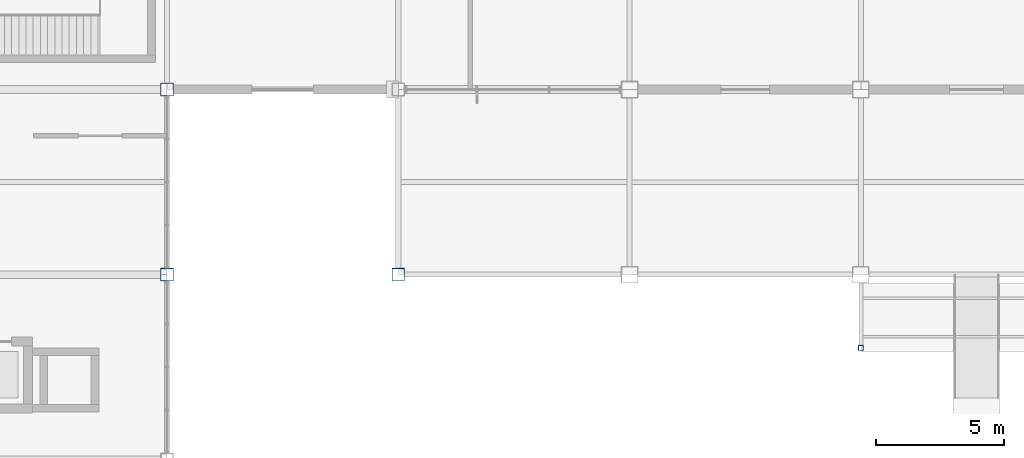
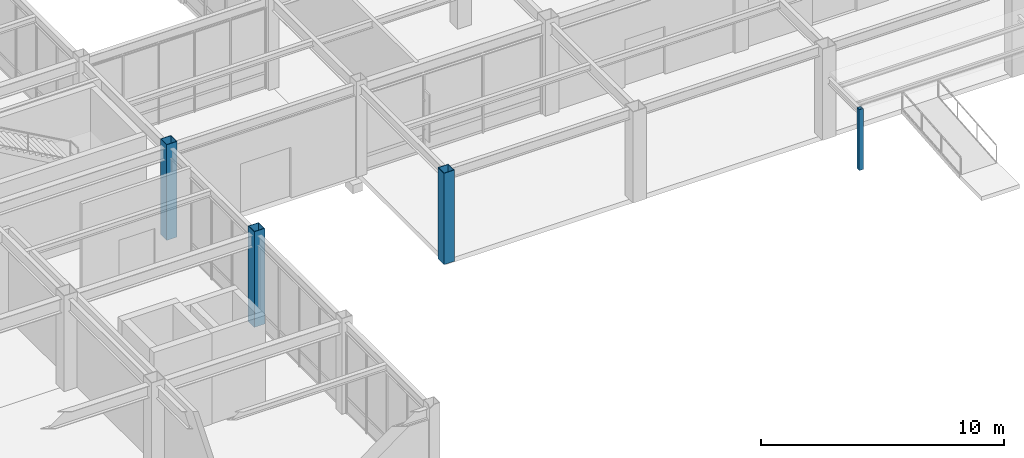
# One storey, part 3 of 112: 4 columns.
"""IFC4 building model written with IfcOpenShell, lengths in metres."""

from ifc_helpers import new_model, si_unit, direction, frame, origin, origin_2d, place, context, subcontext, project, spatial, hollow_rectangle, extrude, material, material_profile, profile_set, type_object, element, save


model = new_model("IFC4")

# Units and contexts
model_context = context("Model", 3, precision=1e-05, world=origin(), true_north=direction((0.0, 1.0)))
body_context = subcontext(model_context, "Body", "Model", "MODEL_VIEW")
ifc_project = project(units=[si_unit("LENGTHUNIT", "METRE"), si_unit("AREAUNIT", "SQUARE_METRE"), si_unit("VOLUMEUNIT", "CUBIC_METRE"), si_unit("PLANEANGLEUNIT", "RADIAN"), si_unit("MASSUNIT", "GRAM", prefix="KILO")], contexts=[model_context])

# Site, building, storey
site_placement = place(None, origin())
site = spatial("IfcSite", under=ifc_project, at=site_placement, CompositionType="ELEMENT")
building_placement = place(site_placement, origin())
building = spatial("IfcBuilding", under=site, at=building_placement, Name="Kazanami Central Library", CompositionType="ELEMENT")
storey_placement = place(building_placement, origin())
storey = spatial("IfcBuildingStorey", under=building, at=storey_placement, Name="L01", CompositionType="ELEMENT", Elevation=0.0)

# Columns
ifc_material_1 = material(Name="Steel BCP325 (325 MPa)", Category="steel")
ifc_material_profile_1 = material_profile(ifc_material_1, hollow_rectangle(XDim=0.5, YDim=0.5, WallThickness=0.02197265625, at=origin_2d()), Name="BCP-500x500x22")
ifc_profile_set_1 = profile_set([ifc_material_profile_1], Name="Steel BCP325 (325 MPa)")
column_type_1 = type_object("IfcColumnType", Name="COL-C-P1E", PredefinedType="COLUMN", material=ifc_profile_set_1)
for number, where, z_axis, x_axis, name in (
    (1, (36.0, 14.39990234375, 0.0), (0.0, 0.0, 1.0), (1.0, 0.0, 0.0), "Column C-P1E L01 5/C"),
    (2, (36.0, 21.60009765625, 0.0), (0.0, 0.0, 1.0), (1.0, 0.0, 0.0), "Column C-P1E L01 5/D"),
):
    element("IfcColumn", number, at=place(storey_placement, frame(where, z_axis=z_axis, x_axis=x_axis)), inside=storey, type_object=column_type_1, Name=name, PredefinedType="COLUMN", context=body_context, shape_type="SweptSolid", body=[
        extrude(hollow_rectangle(XDim=0.5, YDim=0.5, WallThickness=0.02197265625, at=origin_2d()), origin(), (0.0, 0.0, 1.0), 4.800048828125),
    ])
column_1_placement = place(storey_placement, frame((45.0, 14.39990234375, 0.0), z_axis=(0.0, 0.0, 1.0), x_axis=(1.0, 0.0, 0.0)))
element("IfcColumn", 3, at=column_1_placement, inside=storey, type_object=column_type_1, Name="Column C-P1E L01 6/C", PredefinedType="COLUMN", context=body_context, shape_type="SweptSolid", body=[
    extrude(hollow_rectangle(XDim=0.5, YDim=0.5, WallThickness=0.02197265625, at=origin_2d()), origin(), (0.0, 0.0, 1.0), 4.580078125),
])
ifc_material_2 = material(Name="Steel STK490 (315 MPa)", Category="steel")
ifc_material_profile_2 = material_profile(ifc_material_2, hollow_rectangle(XDim=0.199951171875, YDim=0.199951171875, WallThickness=0.009033203125, at=origin_2d()), Name="STKR-200x200x9")
ifc_profile_set_2 = profile_set([ifc_material_profile_2], Name="Steel STK490 (315 MPa)")
column_type_2 = type_object("IfcColumnType", Name="COL-CAN-200", PredefinedType="COLUMN", material=ifc_profile_set_2)
column_2_placement = place(storey_placement, frame((63.0, 11.550048828125, 0.0), z_axis=(0.0, 0.0, 1.0), x_axis=(1.0, 0.0, 0.0)))
element("IfcColumn", 4, at=column_2_placement, inside=storey, type_object=column_type_2, Name="Canopy Post CAN-V1-SOUTH X=63", PredefinedType="COLUMN", context=body_context, shape_type="SweptSolid", body=[
    extrude(hollow_rectangle(XDim=0.199951171875, YDim=0.199951171875, WallThickness=0.009033203125, at=origin_2d()), origin(), (0.0, 0.0, 1.0), 3.050048828125),
])

save(model, "model.ifc")
